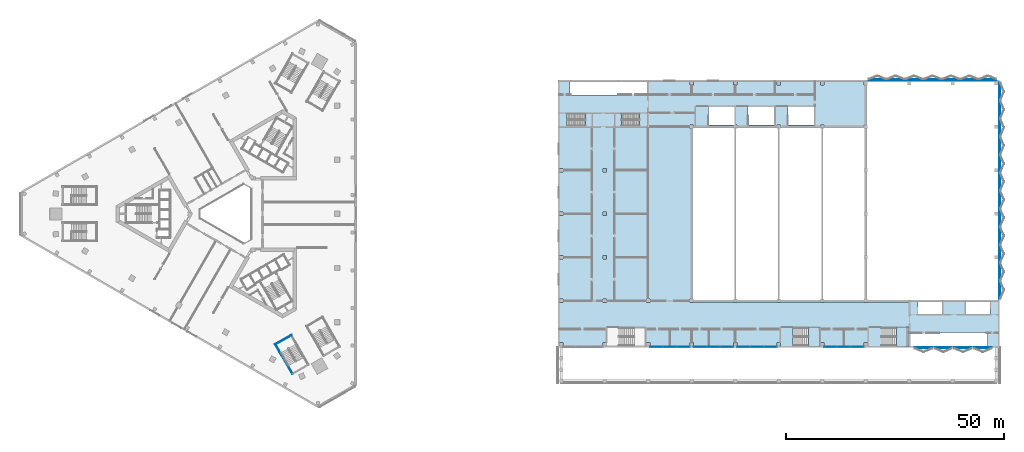
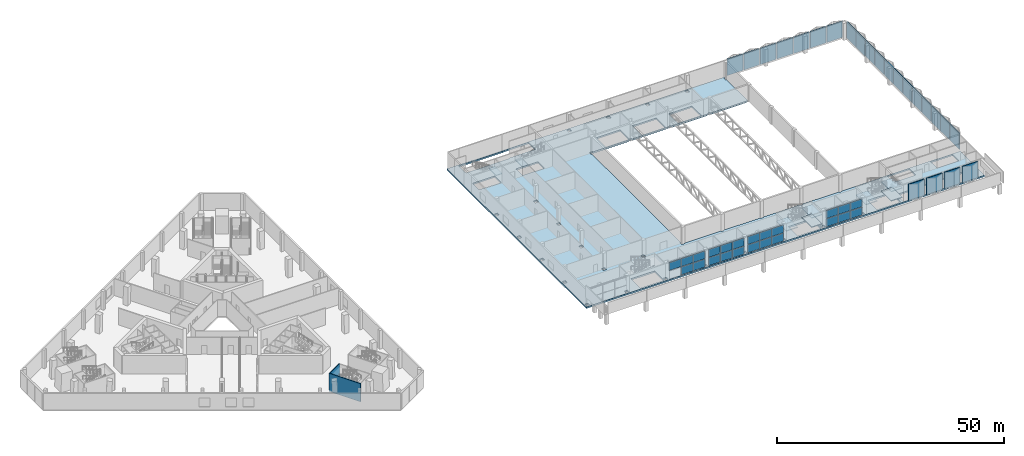
# One storey, part 9 of 36: 46 plates, 9 slabs, 2 walls, 8 elements without a shape of their own.
"""IFC4 building model written with IfcOpenShell, lengths in metres."""

from ifc_helpers import new_model, si_unit, direction, frame, frame_2d, origin, origin_2d, place, context, subcontext, project, spatial, polyline, rectangle, outline, extrude, material, layer, layer_set, type_object, element, aggregate, save


model = new_model("IFC4")

# Units and contexts
model_context = context("Model", 3, precision=1e-05, world=origin(), true_north=direction((0.0, 1.0)))
body_context = subcontext(model_context, "Body", "Model", "MODEL_VIEW")
ifc_project = project(units=[si_unit("LENGTHUNIT", "METRE"), si_unit("AREAUNIT", "SQUARE_METRE"), si_unit("VOLUMEUNIT", "CUBIC_METRE"), si_unit("PLANEANGLEUNIT", "RADIAN"), si_unit("MASSUNIT", "GRAM", prefix="KILO")], contexts=[model_context])

# Site, building, storey
site_placement = place(None, origin())
site = spatial("IfcSite", under=ifc_project, at=site_placement, CompositionType="ELEMENT")
building_placement = place(site_placement, origin())
building = spatial("IfcBuilding", under=site, at=building_placement, Name="Jabali Bay Hotel Tower and Convention Centre", CompositionType="ELEMENT")
storey_placement = place(building_placement, frame((0.0, 0.0, 20.39990234375)))
storey = spatial("IfcBuildingStorey", under=building, at=storey_placement, Name="L03", CompositionType="ELEMENT", Elevation=20.39990234375)

# Curtain wall, plates
ifc_material_1 = material(Name="Aluminium 6063-T5 and glass", Category="aluminium")
curtain_wall_type = type_object("IfcCurtainWallType", Name="CC CW5 Unitised Curtain Wall", PredefinedType="NOTDEFINED", material=ifc_material_1)
curtain_wall_1_placement = place(storey_placement, origin())
curtain_wall_1 = element("IfcCurtainWall", 1, at=curtain_wall_1_placement, inside=storey, type_object=curtain_wall_type, Name="CC CW5 run 7", PredefinedType="NOTDEFINED")
ifc_material_2 = material(Name="Glass IGU 28", Category="glass")
ifc_layer_1 = layer(ifc_material_2, 0.028076171875)
ifc_layer_set_1 = layer_set([ifc_layer_1], Name="Glass IGU 28")
plate_type_1 = type_object("IfcPlateType", Name="CC Curtain Wall Glass Panel 28", PredefinedType="CURTAIN_PANEL", material=ifc_layer_set_1)
plate_1_placement = place(storey_placement, frame((172.6484375, 49.449951171875, 2.35986328125), z_axis=(0.0, 0.0, 1.0), x_axis=(1.0, 0.0, 0.0)))
plate_1 = element("IfcPlate", 2, at=plate_1_placement, type_object=plate_type_1, Name="CC-CW5 panel 1.2", PredefinedType="CURTAIN_PANEL", context=body_context, shape_type="SweptSolid", body=[
    extrude(rectangle(XDim=2.9765625, YDim=0.028076171875, at=origin_2d()), origin(), (0.0, 0.0, 1.0), 2.110107421875),
])
plate_2_placement = place(storey_placement, frame((175.699951171875, 49.449951171875, 0.1201171875), z_axis=(0.0, 0.0, 1.0), x_axis=(1.0, 0.0, 0.0)))
plate_2 = element("IfcPlate", 3, at=plate_2_placement, type_object=plate_type_1, Name="CC-CW5 panel 2.1", PredefinedType="CURTAIN_PANEL", context=body_context, shape_type="SweptSolid", body=[
    extrude(rectangle(XDim=3.006591796875, YDim=0.028076171875, at=origin_2d()), origin(), (0.0, 0.0, 1.0), 2.1201171875),
])
plate_3_placement = place(storey_placement, frame((175.699951171875, 49.449951171875, 2.35986328125), z_axis=(0.0, 0.0, 1.0), x_axis=(1.0, 0.0, 0.0)))
plate_3 = element("IfcPlate", 4, at=plate_3_placement, type_object=plate_type_1, Name="CC-CW5 panel 2.2", PredefinedType="CURTAIN_PANEL", context=body_context, shape_type="SweptSolid", body=[
    extrude(rectangle(XDim=3.006591796875, YDim=0.028076171875, at=origin_2d()), origin(), (0.0, 0.0, 1.0), 2.110107421875),
])
plate_4_placement = place(storey_placement, frame((178.751708984375, 49.449951171875, 0.1201171875), z_axis=(0.0, 0.0, 1.0), x_axis=(1.0, 0.0, 0.0)))
plate_4 = element("IfcPlate", 5, at=plate_4_placement, type_object=plate_type_1, Name="CC-CW5 panel 3.1", PredefinedType="CURTAIN_PANEL", context=body_context, shape_type="SweptSolid", body=[
    extrude(rectangle(XDim=2.9765625, YDim=0.028076171875, at=origin_2d()), origin(), (0.0, 0.0, 1.0), 2.1201171875),
])
plate_5_placement = place(storey_placement, frame((178.751708984375, 49.449951171875, 2.35986328125), z_axis=(0.0, 0.0, 1.0), x_axis=(1.0, 0.0, 0.0)))
plate_5 = element("IfcPlate", 6, at=plate_5_placement, type_object=plate_type_1, Name="CC-CW5 panel 3.2", PredefinedType="CURTAIN_PANEL", context=body_context, shape_type="SweptSolid", body=[
    extrude(rectangle(XDim=2.9765625, YDim=0.028076171875, at=origin_2d()), origin(), (0.0, 0.0, 1.0), 2.110107421875),
])
aggregate(curtain_wall_1, [plate_1, plate_2, plate_3, plate_4, plate_5])

curtain_wall_2_placement = place(storey_placement, origin())
curtain_wall_2 = element("IfcCurtainWall", 7, at=curtain_wall_2_placement, inside=storey, type_object=curtain_wall_type, Name="CC CW5 run 8", PredefinedType="NOTDEFINED")
plate_6_placement = place(storey_placement, frame((182.6484375, 49.449951171875, 0.1201171875), z_axis=(0.0, 0.0, 1.0), x_axis=(1.0, 0.0, 0.0)))
plate_6 = element("IfcPlate", 8, at=plate_6_placement, type_object=plate_type_1, Name="CC-CW5 panel 1.1", PredefinedType="CURTAIN_PANEL", context=body_context, shape_type="SweptSolid", body=[
    extrude(rectangle(XDim=2.9765625, YDim=0.028076171875, at=origin_2d()), origin(), (0.0, 0.0, 1.0), 2.1201171875),
])
plate_7_placement = place(storey_placement, frame((182.6484375, 49.449951171875, 2.35986328125), z_axis=(0.0, 0.0, 1.0), x_axis=(1.0, 0.0, 0.0)))
plate_7 = element("IfcPlate", 9, at=plate_7_placement, type_object=plate_type_1, Name="CC-CW5 panel 1.2", PredefinedType="CURTAIN_PANEL", context=body_context, shape_type="SweptSolid", body=[
    extrude(rectangle(XDim=2.9765625, YDim=0.028076171875, at=origin_2d()), origin(), (0.0, 0.0, 1.0), 2.110107421875),
])
plate_8_placement = place(storey_placement, frame((185.699951171875, 49.449951171875, 0.1201171875), z_axis=(0.0, 0.0, 1.0), x_axis=(1.0, 0.0, 0.0)))
plate_8 = element("IfcPlate", 10, at=plate_8_placement, type_object=plate_type_1, Name="CC-CW5 panel 2.1", PredefinedType="CURTAIN_PANEL", context=body_context, shape_type="SweptSolid", body=[
    extrude(rectangle(XDim=3.006591796875, YDim=0.028076171875, at=origin_2d()), origin(), (0.0, 0.0, 1.0), 2.1201171875),
])
plate_9_placement = place(storey_placement, frame((185.699951171875, 49.449951171875, 2.35986328125), z_axis=(0.0, 0.0, 1.0), x_axis=(1.0, 0.0, 0.0)))
plate_9 = element("IfcPlate", 11, at=plate_9_placement, type_object=plate_type_1, Name="CC-CW5 panel 2.2", PredefinedType="CURTAIN_PANEL", context=body_context, shape_type="SweptSolid", body=[
    extrude(rectangle(XDim=3.006591796875, YDim=0.028076171875, at=origin_2d()), origin(), (0.0, 0.0, 1.0), 2.110107421875),
])
plate_10_placement = place(storey_placement, frame((188.751708984375, 49.449951171875, 0.1201171875), z_axis=(0.0, 0.0, 1.0), x_axis=(1.0, 0.0, 0.0)))
plate_10 = element("IfcPlate", 12, at=plate_10_placement, type_object=plate_type_1, Name="CC-CW5 panel 3.1", PredefinedType="CURTAIN_PANEL", context=body_context, shape_type="SweptSolid", body=[
    extrude(rectangle(XDim=2.9765625, YDim=0.028076171875, at=origin_2d()), origin(), (0.0, 0.0, 1.0), 2.1201171875),
])
plate_11_placement = place(storey_placement, frame((188.751708984375, 49.449951171875, 2.35986328125), z_axis=(0.0, 0.0, 1.0), x_axis=(1.0, 0.0, 0.0)))
plate_11 = element("IfcPlate", 13, at=plate_11_placement, type_object=plate_type_1, Name="CC-CW5 panel 3.2", PredefinedType="CURTAIN_PANEL", context=body_context, shape_type="SweptSolid", body=[
    extrude(rectangle(XDim=2.9765625, YDim=0.028076171875, at=origin_2d()), origin(), (0.0, 0.0, 1.0), 2.110107421875),
])
aggregate(curtain_wall_2, [plate_6, plate_7, plate_8, plate_9, plate_10, plate_11])

curtain_wall_3_placement = place(storey_placement, origin())
curtain_wall_3 = element("IfcCurtainWall", 14, at=curtain_wall_3_placement, inside=storey, type_object=curtain_wall_type, Name="CC CW5 run 9", PredefinedType="NOTDEFINED")
plate_12_placement = place(storey_placement, frame((192.6484375, 49.449951171875, 0.1201171875), z_axis=(0.0, 0.0, 1.0), x_axis=(1.0, 0.0, 0.0)))
plate_12 = element("IfcPlate", 15, at=plate_12_placement, type_object=plate_type_1, Name="CC-CW5 panel 1.1", PredefinedType="CURTAIN_PANEL", context=body_context, shape_type="SweptSolid", body=[
    extrude(rectangle(XDim=2.9765625, YDim=0.028076171875, at=origin_2d()), origin(), (0.0, 0.0, 1.0), 2.1201171875),
])
plate_13_placement = place(storey_placement, frame((192.6484375, 49.449951171875, 2.35986328125), z_axis=(0.0, 0.0, 1.0), x_axis=(1.0, 0.0, 0.0)))
plate_13 = element("IfcPlate", 16, at=plate_13_placement, type_object=plate_type_1, Name="CC-CW5 panel 1.2", PredefinedType="CURTAIN_PANEL", context=body_context, shape_type="SweptSolid", body=[
    extrude(rectangle(XDim=2.9765625, YDim=0.028076171875, at=origin_2d()), origin(), (0.0, 0.0, 1.0), 2.110107421875),
])
plate_14_placement = place(storey_placement, frame((195.699951171875, 49.449951171875, 0.1201171875), z_axis=(0.0, 0.0, 1.0), x_axis=(1.0, 0.0, 0.0)))
plate_14 = element("IfcPlate", 17, at=plate_14_placement, type_object=plate_type_1, Name="CC-CW5 panel 2.1", PredefinedType="CURTAIN_PANEL", context=body_context, shape_type="SweptSolid", body=[
    extrude(rectangle(XDim=3.006591796875, YDim=0.028076171875, at=origin_2d()), origin(), (0.0, 0.0, 1.0), 2.1201171875),
])
plate_15_placement = place(storey_placement, frame((195.699951171875, 49.449951171875, 2.35986328125), z_axis=(0.0, 0.0, 1.0), x_axis=(1.0, 0.0, 0.0)))
plate_15 = element("IfcPlate", 18, at=plate_15_placement, type_object=plate_type_1, Name="CC-CW5 panel 2.2", PredefinedType="CURTAIN_PANEL", context=body_context, shape_type="SweptSolid", body=[
    extrude(rectangle(XDim=3.006591796875, YDim=0.028076171875, at=origin_2d()), origin(), (0.0, 0.0, 1.0), 2.110107421875),
])
plate_16_placement = place(storey_placement, frame((198.751708984375, 49.449951171875, 0.1201171875), z_axis=(0.0, 0.0, 1.0), x_axis=(1.0, 0.0, 0.0)))
plate_16 = element("IfcPlate", 19, at=plate_16_placement, type_object=plate_type_1, Name="CC-CW5 panel 3.1", PredefinedType="CURTAIN_PANEL", context=body_context, shape_type="SweptSolid", body=[
    extrude(rectangle(XDim=2.9765625, YDim=0.028076171875, at=origin_2d()), origin(), (0.0, 0.0, 1.0), 2.1201171875),
])
plate_17_placement = place(storey_placement, frame((198.751708984375, 49.449951171875, 2.35986328125), z_axis=(0.0, 0.0, 1.0), x_axis=(1.0, 0.0, 0.0)))
plate_17 = element("IfcPlate", 20, at=plate_17_placement, type_object=plate_type_1, Name="CC-CW5 panel 3.2", PredefinedType="CURTAIN_PANEL", context=body_context, shape_type="SweptSolid", body=[
    extrude(rectangle(XDim=2.9765625, YDim=0.028076171875, at=origin_2d()), origin(), (0.0, 0.0, 1.0), 2.110107421875),
])
aggregate(curtain_wall_3, [plate_12, plate_13, plate_14, plate_15, plate_16, plate_17])

curtain_wall_4_placement = place(storey_placement, origin())
curtain_wall_4 = element("IfcCurtainWall", 21, at=curtain_wall_4_placement, inside=storey, type_object=curtain_wall_type, Name="CC CW5 run 10", PredefinedType="NOTDEFINED")
plate_18_placement = place(storey_placement, frame((212.6484375, 49.449951171875, 0.1201171875), z_axis=(0.0, 0.0, 1.0), x_axis=(1.0, 0.0, 0.0)))
plate_18 = element("IfcPlate", 22, at=plate_18_placement, type_object=plate_type_1, Name="CC-CW5 panel 1.1", PredefinedType="CURTAIN_PANEL", context=body_context, shape_type="SweptSolid", body=[
    extrude(rectangle(XDim=2.9765625, YDim=0.028076171875, at=origin_2d()), origin(), (0.0, 0.0, 1.0), 2.1201171875),
])
plate_19_placement = place(storey_placement, frame((212.6484375, 49.449951171875, 2.35986328125), z_axis=(0.0, 0.0, 1.0), x_axis=(1.0, 0.0, 0.0)))
plate_19 = element("IfcPlate", 23, at=plate_19_placement, type_object=plate_type_1, Name="CC-CW5 panel 1.2", PredefinedType="CURTAIN_PANEL", context=body_context, shape_type="SweptSolid", body=[
    extrude(rectangle(XDim=2.9765625, YDim=0.028076171875, at=origin_2d()), origin(), (0.0, 0.0, 1.0), 2.110107421875),
])
plate_20_placement = place(storey_placement, frame((215.699951171875, 49.449951171875, 0.1201171875), z_axis=(0.0, 0.0, 1.0), x_axis=(1.0, 0.0, 0.0)))
plate_20 = element("IfcPlate", 24, at=plate_20_placement, type_object=plate_type_1, Name="CC-CW5 panel 2.1", PredefinedType="CURTAIN_PANEL", context=body_context, shape_type="SweptSolid", body=[
    extrude(rectangle(XDim=3.006591796875, YDim=0.028076171875, at=origin_2d()), origin(), (0.0, 0.0, 1.0), 2.1201171875),
])
plate_21_placement = place(storey_placement, frame((215.699951171875, 49.449951171875, 2.35986328125), z_axis=(0.0, 0.0, 1.0), x_axis=(1.0, 0.0, 0.0)))
plate_21 = element("IfcPlate", 25, at=plate_21_placement, type_object=plate_type_1, Name="CC-CW5 panel 2.2", PredefinedType="CURTAIN_PANEL", context=body_context, shape_type="SweptSolid", body=[
    extrude(rectangle(XDim=3.006591796875, YDim=0.028076171875, at=origin_2d()), origin(), (0.0, 0.0, 1.0), 2.110107421875),
])
plate_22_placement = place(storey_placement, frame((218.751708984375, 49.449951171875, 0.1201171875), z_axis=(0.0, 0.0, 1.0), x_axis=(1.0, 0.0, 0.0)))
plate_22 = element("IfcPlate", 26, at=plate_22_placement, type_object=plate_type_1, Name="CC-CW5 panel 3.1", PredefinedType="CURTAIN_PANEL", context=body_context, shape_type="SweptSolid", body=[
    extrude(rectangle(XDim=2.9765625, YDim=0.028076171875, at=origin_2d()), origin(), (0.0, 0.0, 1.0), 2.1201171875),
])
plate_23_placement = place(storey_placement, frame((218.751708984375, 49.449951171875, 2.35986328125), z_axis=(0.0, 0.0, 1.0), x_axis=(1.0, 0.0, 0.0)))
plate_23 = element("IfcPlate", 27, at=plate_23_placement, type_object=plate_type_1, Name="CC-CW5 panel 3.2", PredefinedType="CURTAIN_PANEL", context=body_context, shape_type="SweptSolid", body=[
    extrude(rectangle(XDim=2.9765625, YDim=0.028076171875, at=origin_2d()), origin(), (0.0, 0.0, 1.0), 2.110107421875),
])
aggregate(curtain_wall_4, [plate_18, plate_19, plate_20, plate_21, plate_22, plate_23])

# Slab
ifc_material_3 = material(Name="Concrete C40", Category="concrete")
ifc_layer_2 = layer(ifc_material_3, 0.409912109375)
ifc_layer_set_2 = layer_set([ifc_layer_2], Name="Concrete C40")
slab_type_1 = type_object("IfcSlabType", Name="CC Floor Slab 410", PredefinedType="FLOOR", material=ifc_layer_set_2)
slab_1_placement = place(storey_placement, frame((0.0, 0.0, -0.409912109375)))
element("IfcSlab", 28, at=slab_1_placement, inside=storey, type_object=slab_type_1, Name="CC floor slab L03", PredefinedType="FLOOR", context=body_context, shape_type="SweptSolid", body=[
    extrude(outline(polyline([(251.39990234375, 49.300048828125), (251.39990234375, 60.0), (251.10009765625, 60.0), (230.699951171875, 60.0), (230.699951171875, 59.800048828125), (221.10009765625, 59.800048828125), (221.10009765625, 59.60009765625), (220.300048828125, 59.60009765625), (220.300048828125, 59.800048828125), (211.10009765625, 59.800048828125), (211.10009765625, 59.60009765625), (210.300048828125, 59.60009765625), (210.300048828125, 59.800048828125), (201.10009765625, 59.800048828125), (201.10009765625, 59.60009765625), (200.300048828125, 59.60009765625), (200.300048828125, 59.800048828125), (191.10009765625, 59.800048828125), (191.10009765625, 59.60009765625), (190.300048828125, 59.60009765625), (190.300048828125, 59.800048828125), (181.10009765625, 59.800048828125), (181.10009765625, 59.60009765625), (180.300048828125, 59.60009765625), (180.300048828125, 60.39990234375), (180.5, 60.39990234375), (180.5, 99.60009765625), (180.300048828125, 99.60009765625), (180.300048828125, 100.39990234375), (181.10009765625, 100.39990234375), (181.10009765625, 100.199951171875), (190.300048828125, 100.199951171875), (190.300048828125, 100.39990234375), (191.10009765625, 100.39990234375), (191.10009765625, 100.199951171875), (200.300048828125, 100.199951171875), (200.300048828125, 100.39990234375), (201.10009765625, 100.39990234375), (201.10009765625, 100.199951171875), (210.300048828125, 100.199951171875), (210.300048828125, 100.39990234375), (211.10009765625, 100.39990234375), (211.10009765625, 100.199951171875), (220.300048828125, 100.199951171875), (220.300048828125, 100.39990234375), (220.5, 100.39990234375), (220.5, 109.60009765625), (220.300048828125, 109.60009765625), (220.300048828125, 110.39990234375), (220.5, 110.39990234375), (220.5, 110.550048828125), (220.699951171875, 110.550048828125), (220.699951171875, 110.699951171875), (150.0, 110.699951171875), (150.0, 49.300048828125), (251.39990234375, 49.300048828125)]), holes=[polyline([(150.300048828125, 50.39990234375), (151.10009765625, 50.39990234375), (151.10009765625, 49.60009765625), (150.300048828125, 49.60009765625), (150.300048828125, 50.39990234375)]), polyline([(160.300048828125, 50.39990234375), (161.10009765625, 50.39990234375), (161.10009765625, 49.60009765625), (160.300048828125, 49.60009765625), (160.300048828125, 50.39990234375)]), polyline([(150.300048828125, 60.39990234375), (151.10009765625, 60.39990234375), (151.10009765625, 59.60009765625), (150.300048828125, 59.60009765625), (150.300048828125, 60.39990234375)]), polyline([(160.300048828125, 60.39990234375), (161.10009765625, 60.39990234375), (161.10009765625, 59.60009765625), (160.300048828125, 59.60009765625), (160.300048828125, 60.39990234375)]), polyline([(150.300048828125, 70.39990234375), (151.10009765625, 70.39990234375), (151.10009765625, 69.60009765625), (150.300048828125, 69.60009765625), (150.300048828125, 70.39990234375)]), polyline([(160.300048828125, 70.39990234375), (161.10009765625, 70.39990234375), (161.10009765625, 69.60009765625), (160.300048828125, 69.60009765625), (160.300048828125, 70.39990234375)]), polyline([(160.300048828125, 79.60009765625), (160.300048828125, 80.39990234375), (161.10009765625, 80.39990234375), (161.10009765625, 79.60009765625), (160.300048828125, 79.60009765625)]), polyline([(150.300048828125, 79.60009765625), (150.300048828125, 80.39990234375), (151.10009765625, 80.39990234375), (151.10009765625, 79.60009765625), (150.300048828125, 79.60009765625)]), polyline([(160.300048828125, 90.39990234375), (161.10009765625, 90.39990234375), (161.10009765625, 89.60009765625), (160.300048828125, 89.60009765625), (160.300048828125, 90.39990234375)]), polyline([(150.300048828125, 90.39990234375), (151.10009765625, 90.39990234375), (151.10009765625, 89.60009765625), (150.300048828125, 89.60009765625), (150.300048828125, 90.39990234375)]), polyline([(152.110107421875, 100.175048828125), (152.110107421875, 103.02490234375), (157.699951171875, 103.02490234375), (157.699951171875, 100.175048828125), (152.110107421875, 100.175048828125)]), polyline([(152.875, 107.375), (152.75, 107.375), (152.75, 110.39990234375), (152.875, 110.39990234375), (153.0, 110.39990234375), (155.5, 110.39990234375), (155.75, 110.39990234375), (158.25, 110.39990234375), (158.5, 110.39990234375), (161.0, 110.39990234375), (161.25, 110.39990234375), (163.75, 110.39990234375), (163.875, 110.39990234375), (163.949951171875, 110.39990234375), (163.949951171875, 110.47509765625), (170.625, 110.47509765625), (170.625, 107.449951171875), (164.0, 107.449951171875), (164.0, 107.375), (163.875, 107.375), (163.875, 107.25), (152.875, 107.25), (152.875, 107.375)]), polyline([(190.300048828125, 49.60009765625), (190.300048828125, 50.39990234375), (191.10009765625, 50.39990234375), (191.10009765625, 49.60009765625), (190.300048828125, 49.60009765625)]), polyline([(180.300048828125, 50.39990234375), (181.10009765625, 50.39990234375), (181.10009765625, 49.60009765625), (180.300048828125, 49.60009765625), (180.300048828125, 50.39990234375)]), polyline([(170.300048828125, 50.39990234375), (171.10009765625, 50.39990234375), (171.10009765625, 49.60009765625), (170.300048828125, 49.60009765625), (170.300048828125, 50.39990234375)]), polyline([(164.010009765625, 49.699951171875), (164.010009765625, 53.800048828125), (170.0, 53.800048828125), (170.0, 49.699951171875), (164.010009765625, 49.699951171875)]), polyline([(170.300048828125, 60.39990234375), (171.10009765625, 60.39990234375), (171.10009765625, 59.60009765625), (170.300048828125, 59.60009765625), (170.300048828125, 60.39990234375)]), polyline([(168.715087890625, 103.02490234375), (168.715087890625, 100.175048828125), (163.125, 100.175048828125), (163.125, 103.02490234375), (168.715087890625, 103.02490234375)]), polyline([(184.534912109375, 100.449951171875), (184.534912109375, 104.550048828125), (190.52490234375, 104.550048828125), (190.52490234375, 100.449951171875), (184.534912109375, 100.449951171875)]), polyline([(193.68505859375, 100.449951171875), (193.68505859375, 104.550048828125), (199.675048828125, 104.550048828125), (199.675048828125, 100.449951171875), (193.68505859375, 100.449951171875)]), polyline([(190.300048828125, 109.60009765625), (190.300048828125, 110.39990234375), (191.10009765625, 110.39990234375), (191.10009765625, 109.60009765625), (190.300048828125, 109.60009765625)]), polyline([(180.300048828125, 110.39990234375), (181.10009765625, 110.39990234375), (181.10009765625, 109.60009765625), (180.300048828125, 109.60009765625), (180.300048828125, 110.39990234375)]), polyline([(200.300048828125, 110.39990234375), (201.10009765625, 110.39990234375), (201.10009765625, 109.60009765625), (200.300048828125, 109.60009765625), (200.300048828125, 110.39990234375)]), polyline([(200.300048828125, 49.60009765625), (200.300048828125, 50.39990234375), (201.10009765625, 50.39990234375), (201.10009765625, 49.60009765625), (200.300048828125, 49.60009765625)]), polyline([(220.300048828125, 49.60009765625), (220.300048828125, 50.39990234375), (221.10009765625, 50.39990234375), (221.10009765625, 49.60009765625), (220.300048828125, 49.60009765625)]), polyline([(210.300048828125, 49.60009765625), (210.300048828125, 50.39990234375), (211.10009765625, 50.39990234375), (211.10009765625, 49.60009765625), (210.300048828125, 49.60009765625)]), polyline([(204.010009765625, 49.699951171875), (204.010009765625, 53.800048828125), (210.0, 53.800048828125), (210.0, 49.699951171875), (204.010009765625, 49.699951171875)]), polyline([(202.8349609375, 100.449951171875), (202.8349609375, 104.550048828125), (208.824951171875, 104.550048828125), (208.824951171875, 100.449951171875), (202.8349609375, 100.449951171875)]), polyline([(210.300048828125, 110.39990234375), (211.10009765625, 110.39990234375), (211.10009765625, 109.60009765625), (210.300048828125, 109.60009765625), (210.300048828125, 110.39990234375)]), polyline([(248.52490234375, 49.60009765625), (248.39990234375, 49.60009765625), (245.89990234375, 49.60009765625), (245.64990234375, 49.60009765625), (243.14990234375, 49.60009765625), (242.89990234375, 49.60009765625), (240.39990234375, 49.60009765625), (240.14990234375, 49.60009765625), (237.64990234375, 49.60009765625), (237.52490234375, 49.60009765625), (237.449951171875, 49.60009765625), (237.449951171875, 49.52490234375), (230.77490234375, 49.52490234375), (230.77490234375, 52.550048828125), (237.39990234375, 52.550048828125), (237.39990234375, 52.625), (237.52490234375, 52.625), (237.52490234375, 52.75), (248.52490234375, 52.75), (248.52490234375, 52.625), (248.64990234375, 52.625), (248.64990234375, 49.60009765625), (248.52490234375, 49.60009765625)]), polyline([(224.260009765625, 49.699951171875), (224.260009765625, 53.800048828125), (230.25, 53.800048828125), (230.25, 49.699951171875), (224.260009765625, 49.699951171875)]), polyline([(232.68505859375, 56.97509765625), (232.68505859375, 59.824951171875), (238.27490234375, 59.824951171875), (238.27490234375, 56.97509765625), (232.68505859375, 56.97509765625)]), polyline([(249.2900390625, 59.824951171875), (249.2900390625, 56.97509765625), (243.699951171875, 56.97509765625), (243.699951171875, 59.824951171875), (249.2900390625, 59.824951171875)])]), origin(), (0.0, 0.0, 1.0), 0.409912109375),
])

# Plates
ifc_material_4 = material(Name="Precast concrete C40/50", Category="concrete")
ifc_layer_3 = layer(ifc_material_4, 0.199951171875)
ifc_layer_set_3 = layer_set([ifc_layer_3], Name="Precast concrete C40/50")
plate_type_2 = type_object("IfcPlateType", Name="CC Pierced precast screen 4000 x 4390", PredefinedType="USERDEFINED", material=ifc_layer_set_3)
for number, where, z_axis, x_axis, name in (
    (29, (251.5, 62.542236328125, 0.10009765625), (0.0, 0.0, 1.0), (1.0, 0.0, 0.0), "CC pierced screen E03.1"),
    (30, (251.5, 66.6845703125, 0.10009765625), (0.0, 0.0, 1.0), (1.0, 0.0, 0.0), "CC pierced screen E03.2"),
    (31, (251.5, 70.826904296875, 0.10009765625), (0.0, 0.0, 1.0), (1.0, 0.0, 0.0), "CC pierced screen E03.3"),
    (32, (251.5, 74.96923828125, 0.10009765625), (0.0, 0.0, 1.0), (1.0, 0.0, 0.0), "CC pierced screen E03.4"),
    (33, (251.5, 79.111572265625, 0.10009765625), (0.0, 0.0, 1.0), (1.0, 0.0, 0.0), "CC pierced screen E03.5"),
    (34, (251.5, 83.25390625, 0.10009765625), (0.0, 0.0, 1.0), (1.0, 0.0, 0.0), "CC pierced screen E03.6"),
    (35, (251.5, 87.396240234375, 0.10009765625), (0.0, 0.0, 1.0), (1.0, 0.0, 0.0), "CC pierced screen E03.7"),
    (36, (251.5, 91.53857421875, 0.10009765625), (0.0, 0.0, 1.0), (1.0, 0.0, 0.0), "CC pierced screen E03.8"),
    (37, (251.5, 95.6806640625, 0.10009765625), (0.0, 0.0, 1.0), (1.0, 0.0, 0.0), "CC pierced screen E03.9"),
    (38, (251.5, 99.822998046875, 0.10009765625), (0.0, 0.0, 1.0), (1.0, 0.0, 0.0), "CC pierced screen E03.10"),
    (39, (251.5, 103.96533203125, 0.10009765625), (0.0, 0.0, 1.0), (1.0, 0.0, 0.0), "CC pierced screen E03.11"),
    (40, (251.5, 108.107666015625, 0.10009765625), (0.0, 0.0, 1.0), (1.0, 0.0, 0.0), "CC pierced screen E03.12"),
):
    element("IfcPlate", number, at=place(storey_placement, frame(where, z_axis=z_axis, x_axis=x_axis)), inside=storey, type_object=plate_type_2, Name=name, ObjectType="SCREEN", PredefinedType="USERDEFINED", context=body_context, shape_type="SweptSolid", body=[
        extrude(rectangle(XDim=0.199951171875, YDim=4.0, at=origin_2d()), origin(), (0.0, 0.0, 1.0), 4.389892578125),
    ])
for number, where, z_axis, x_axis, name in (
    (41, (223.331298828125, 110.800048828125, 0.10009765625), (0.0, 0.0, 1.0), (1.0, 0.0, 0.0), "CC pierced screen N03.1"),
    (42, (227.5625, 110.800048828125, 0.10009765625), (0.0, 0.0, 1.0), (1.0, 0.0, 0.0), "CC pierced screen N03.2"),
    (43, (231.793701171875, 110.800048828125, 0.10009765625), (0.0, 0.0, 1.0), (1.0, 0.0, 0.0), "CC pierced screen N03.3"),
    (44, (236.02490234375, 110.800048828125, 0.10009765625), (0.0, 0.0, 1.0), (1.0, 0.0, 0.0), "CC pierced screen N03.4"),
    (45, (240.25634765625, 110.800048828125, 0.10009765625), (0.0, 0.0, 1.0), (1.0, 0.0, 0.0), "CC pierced screen N03.5"),
    (46, (244.487548828125, 110.800048828125, 0.10009765625), (0.0, 0.0, 1.0), (1.0, 0.0, 0.0), "CC pierced screen N03.6"),
    (47, (248.71875, 110.800048828125, 0.10009765625), (0.0, 0.0, 1.0), (1.0, 0.0, 0.0), "CC pierced screen N03.7"),
    (48, (233.949951171875, 49.199951171875, 0.10009765625), (0.0, 0.0, 1.0), (1.0, 0.0, 0.0), "CC pierced screen S03.1"),
    (49, (238.5, 49.199951171875, 0.10009765625), (0.0, 0.0, 1.0), (1.0, 0.0, 0.0), "CC pierced screen S03.2"),
    (50, (243.050048828125, 49.199951171875, 0.10009765625), (0.0, 0.0, 1.0), (1.0, 0.0, 0.0), "CC pierced screen S03.3"),
    (51, (247.60009765625, 49.199951171875, 0.10009765625), (0.0, 0.0, 1.0), (1.0, 0.0, 0.0), "CC pierced screen S03.4"),
):
    element("IfcPlate", number, at=place(storey_placement, frame(where, z_axis=z_axis, x_axis=x_axis)), inside=storey, type_object=plate_type_2, Name=name, ObjectType="SCREEN", PredefinedType="USERDEFINED", context=body_context, shape_type="SweptSolid", body=[
        extrude(rectangle(XDim=4.0, YDim=0.199951171875, at=origin_2d()), origin(), (0.0, 0.0, 1.0), 4.389892578125),
    ])

# Stair, slab
stair_type = type_object("IfcStairType", Name="CC Dogleg Stair 1350", PredefinedType="HALF_TURN_STAIR", material=ifc_material_3)
stair_1_placement = place(storey_placement, origin())
stair_1 = element("IfcStair", 52, at=stair_1_placement, inside=storey, type_object=stair_type, Name="L03 West stair A", PredefinedType="HALF_TURN_STAIR")
ifc_layer_4 = layer(ifc_material_3, 0.199951171875)
ifc_layer_set_4 = layer_set([ifc_layer_4], Name="Concrete C40")
slab_type_2 = type_object("IfcSlabType", Name="CC Stair Landing 200", PredefinedType="LANDING", material=ifc_layer_set_4)
slab_2_placement = place(storey_placement, frame((0.0, 0.0, 2.300048828125)))
slab_2 = element("IfcSlab", 53, at=slab_2_placement, type_object=slab_type_2, Name="CC-STWA landing 1", PredefinedType="LANDING", context=body_context, shape_type="SweptSolid", body=[
    extrude(outline(polyline([(156.297119140625, 100.02490234375), (157.85009765625, 100.02490234375), (157.85009765625, 103.175048828125), (156.297119140625, 103.175048828125), (156.297119140625, 100.02490234375)])), origin(), (0.0, 0.0, 1.0), 0.199951171875),
])
aggregate(stair_1, [slab_2])

stair_2_placement = place(storey_placement, origin())
stair_2 = element("IfcStair", 54, at=stair_2_placement, inside=storey, type_object=stair_type, Name="L03 West stair B", PredefinedType="HALF_TURN_STAIR")
slab_3_placement = place(storey_placement, frame((0.0, 0.0, 2.300048828125)))
slab_3 = element("IfcSlab", 55, at=slab_3_placement, type_object=slab_type_2, Name="CC-STWB landing 1", PredefinedType="LANDING", context=body_context, shape_type="SweptSolid", body=[
    extrude(outline(polyline([(162.97509765625, 100.02490234375), (164.528076171875, 100.02490234375), (164.528076171875, 103.175048828125), (162.97509765625, 103.175048828125), (162.97509765625, 100.02490234375)])), origin(), (0.0, 0.0, 1.0), 0.199951171875),
])
aggregate(stair_2, [slab_3])

# Stair, slabs
stair_3_placement = place(storey_placement, origin())
stair_3 = element("IfcStair", 56, at=stair_3_placement, inside=storey, type_object=stair_type, Name="L03 South Exit Stair 2", PredefinedType="HALF_TURN_STAIR")
slab_4_placement = place(storey_placement, frame((0.0, 0.0, 1.050048828125)))
slab_4 = element("IfcSlab", 57, at=slab_4_placement, type_object=slab_type_2, Name="CC-STS2 landing 1", PredefinedType="LANDING", context=body_context, shape_type="SweptSolid", body=[
    extrude(outline(polyline([(207.51708984375, 49.550048828125), (210.14990234375, 49.550048828125), (210.14990234375, 53.949951171875), (207.51708984375, 53.949951171875), (207.51708984375, 49.550048828125)])), origin(), (0.0, 0.0, 1.0), 0.199951171875),
])
slab_5_placement = place(storey_placement, frame((0.0, 0.0, 2.300048828125)))
slab_5 = element("IfcSlab", 58, at=slab_5_placement, type_object=slab_type_2, Name="CC-STS2 landing 2", PredefinedType="LANDING", context=body_context, shape_type="SweptSolid", body=[
    extrude(outline(polyline([(201.050048828125, 49.550048828125), (204.0029296875, 49.550048828125), (204.0029296875, 53.949951171875), (201.050048828125, 53.949951171875), (201.050048828125, 49.550048828125)])), origin(), (0.0, 0.0, 1.0), 0.199951171875),
])
slab_6_placement = place(storey_placement, frame((0.0, 0.0, 3.550048828125)))
slab_6 = element("IfcSlab", 59, at=slab_6_placement, type_object=slab_type_2, Name="CC-STS2 landing 3", PredefinedType="LANDING", context=body_context, shape_type="SweptSolid", body=[
    extrude(outline(polyline([(207.51708984375, 49.550048828125), (210.14990234375, 49.550048828125), (210.14990234375, 53.949951171875), (207.51708984375, 53.949951171875), (207.51708984375, 49.550048828125)])), origin(), (0.0, 0.0, 1.0), 0.199951171875),
])
aggregate(stair_3, [slab_4, slab_5, slab_6])

stair_4_placement = place(storey_placement, origin())
stair_4 = element("IfcStair", 60, at=stair_4_placement, inside=storey, type_object=stair_type, Name="L03 South Exit Stair 3", PredefinedType="HALF_TURN_STAIR")
slab_7_placement = place(storey_placement, frame((0.0, 0.0, 1.050048828125)))
slab_7 = element("IfcSlab", 61, at=slab_7_placement, type_object=slab_type_2, Name="CC-STS3 landing 1", PredefinedType="LANDING", context=body_context, shape_type="SweptSolid", body=[
    extrude(outline(polyline([(227.76708984375, 49.550048828125), (230.60009765625, 49.550048828125), (230.60009765625, 53.949951171875), (227.76708984375, 53.949951171875), (227.76708984375, 49.550048828125)])), origin(), (0.0, 0.0, 1.0), 0.199951171875),
])
slab_8_placement = place(storey_placement, frame((0.0, 0.0, 2.300048828125)))
slab_8 = element("IfcSlab", 62, at=slab_8_placement, type_object=slab_type_2, Name="CC-STS3 landing 2", PredefinedType="LANDING", context=body_context, shape_type="SweptSolid", body=[
    extrude(outline(polyline([(221.300048828125, 49.550048828125), (224.2529296875, 49.550048828125), (224.2529296875, 53.949951171875), (221.300048828125, 53.949951171875), (221.300048828125, 49.550048828125)])), origin(), (0.0, 0.0, 1.0), 0.199951171875),
])
slab_9_placement = place(storey_placement, frame((0.0, 0.0, 3.550048828125)))
slab_9 = element("IfcSlab", 63, at=slab_9_placement, type_object=slab_type_2, Name="CC-STS3 landing 3", PredefinedType="LANDING", context=body_context, shape_type="SweptSolid", body=[
    extrude(outline(polyline([(227.76708984375, 49.550048828125), (230.60009765625, 49.550048828125), (230.60009765625, 53.949951171875), (227.76708984375, 53.949951171875), (227.76708984375, 49.550048828125)])), origin(), (0.0, 0.0, 1.0), 0.199951171875),
])
aggregate(stair_4, [slab_7, slab_8, slab_9])

# Walls
ifc_layer_5 = layer(ifc_material_3, 0.199951171875)
ifc_layer_set_5 = layer_set([ifc_layer_5], Name="Concrete C40")
wall_type = type_object("IfcWallType", Name="Podium stair enclosure wall 200", PredefinedType="SOLIDWALL", material=ifc_layer_set_5)
wall_1_placement = place(storey_placement, frame((88.811279296875, 52.17822265625, -0.39990234375), z_axis=(0.0, 0.0, 1.0), x_axis=(-0.866032203192, -0.499988222896, 0.0)))
element("IfcWall", 64, at=wall_1_placement, inside=storey, type_object=wall_type, Name="Podium stair wall 6.3 L03", PredefinedType="SOLIDWALL", context=body_context, shape_type="SweptSolid", body=[
    extrude(rectangle(XDim=4.39990234375, YDim=0.199951171875, at=frame_2d((2.199951171875, 0.0))), origin(), (0.0, 0.0, 1.0), 4.89990234375),
])
wall_2_placement = place(storey_placement, frame((85.037353515625, 50.11474609375, -0.39990234375), z_axis=(0.0, 0.0, 1.0), x_axis=(0.49999894854, -0.866026010844, 0.0)))
element("IfcWall", 65, at=wall_2_placement, inside=storey, type_object=wall_type, Name="Podium stair wall 6.4 L03", PredefinedType="SOLIDWALL", context=body_context, shape_type="SweptSolid", body=[
    extrude(rectangle(XDim=8.0, YDim=0.199951171875, at=frame_2d((4.0, 0.0))), origin(), (0.0, 0.0, 1.0), 4.89990234375),
])

save(model, "model.ifc")
